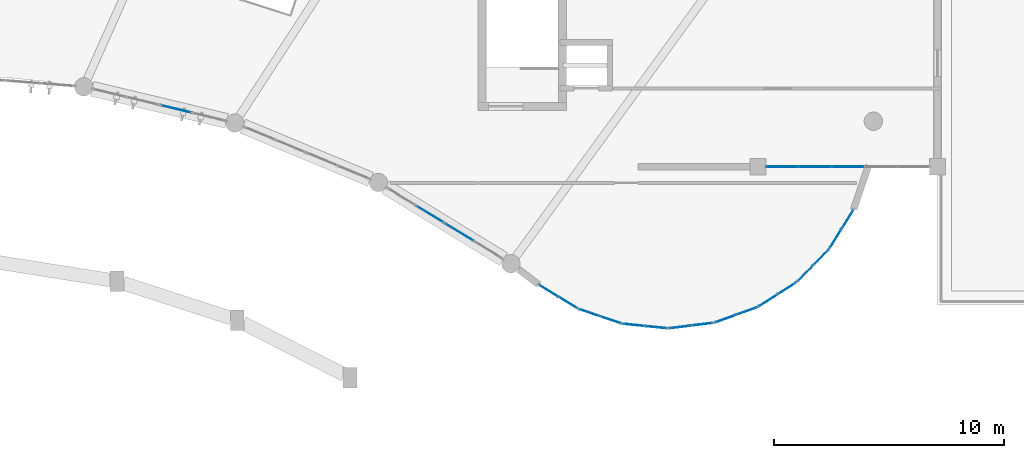
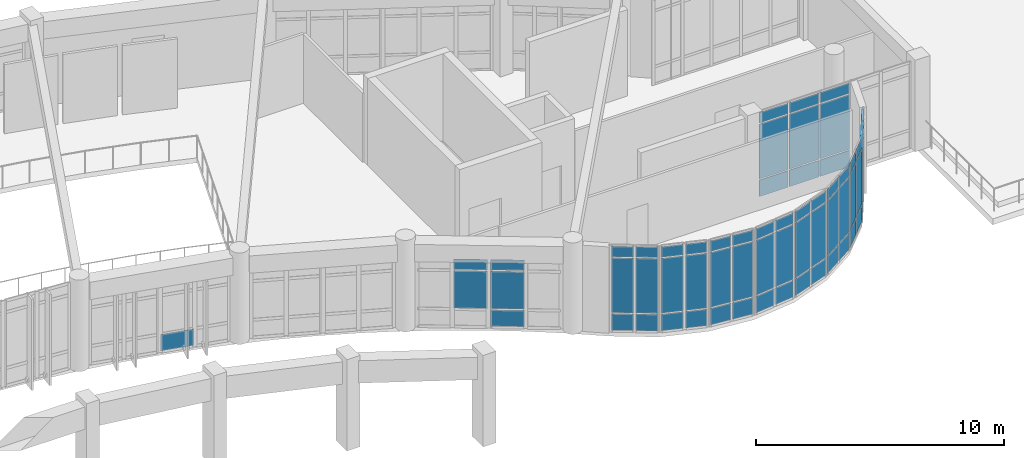
# One storey, part 36 of 54: 63 plates, 12 elements without a shape of their own.
"""IFC4 building model written with IfcOpenShell, lengths in metres."""

from ifc_helpers import new_model, si_unit, direction, frame, origin, origin_2d, place, context, subcontext, project, spatial, rectangle, extrude, material, layer, layer_set, type_object, element, aggregate, save


model = new_model("IFC4")

# Units and contexts
model_context = context("Model", 3, precision=1e-05, world=origin(), true_north=direction((0.0, 1.0)))
body_context = subcontext(model_context, "Body", "Model", "MODEL_VIEW")
ifc_project = project(units=[si_unit("LENGTHUNIT", "METRE"), si_unit("AREAUNIT", "SQUARE_METRE"), si_unit("VOLUMEUNIT", "CUBIC_METRE"), si_unit("PLANEANGLEUNIT", "RADIAN"), si_unit("MASSUNIT", "GRAM", prefix="KILO")], contexts=[model_context])

# Site, building, storey
site_placement = place(None, origin())
site = spatial("IfcSite", under=ifc_project, at=site_placement, CompositionType="ELEMENT")
building_placement = place(site_placement, origin())
building = spatial("IfcBuilding", under=site, at=building_placement, Name="Miralva Faculty of Natural Sciences", CompositionType="ELEMENT")
storey_placement = place(building_placement, frame((0.0, 0.0, 19.5)))
storey = spatial("IfcBuildingStorey", under=building, at=storey_placement, Name="L04", CompositionType="ELEMENT", Elevation=19.5)

# Curtain wall, plate
ifc_material = material(Name="Laminated solar-control glass", Category="glass")
ifc_layer_1 = layer(ifc_material, 0.179931640625, Name="CW-ARC-L03")
ifc_layer_set_1 = layer_set([ifc_layer_1], Name="Laminated solar-control glass")
curtain_wall_type_1 = type_object("IfcCurtainWallType", Name="CW-ARC-L03", PredefinedType="USERDEFINED", material=ifc_layer_set_1)
curtain_wall_1_placement = place(storey_placement, origin())
curtain_wall_1 = element("IfcCurtainWall", 1, at=curtain_wall_1_placement, inside=storey, type_object=curtain_wall_type_1, Name="Curtain wall CW-03 L04-168", ObjectType="UNITISED CURTAIN WALL", PredefinedType="USERDEFINED")
ifc_layer_2 = layer(ifc_material, 0.028076171875, Name="PNL-P01")
ifc_layer_set_2 = layer_set([ifc_layer_2], Name="Laminated solar-control glass")
plate_type = type_object("IfcPlateType", Name="PNL-P01", PredefinedType="CURTAIN_PANEL", material=ifc_layer_set_2)
plate_1_placement = place(storey_placement, frame((100.743408203125, 20.50634765625, 0.06494140625), z_axis=(0.0, 0.0, 1.0), x_axis=(0.972365393914, -0.233464217213, 0.0)))
plate_1 = element("IfcPlate", 2, at=plate_1_placement, type_object=plate_type, Name="CW-03 panel 1.1", PredefinedType="CURTAIN_PANEL", context=body_context, shape_type="SweptSolid", body=[
    extrude(rectangle(XDim=1.394287109375, YDim=0.028076171875, at=origin_2d()), origin(), (0.0, 0.0, 1.0), 0.802490234375),
])
aggregate(curtain_wall_1, [plate_1])

# Curtain wall, plates
curtain_wall_2_placement = place(storey_placement, origin())
curtain_wall_2 = element("IfcCurtainWall", 3, at=curtain_wall_2_placement, inside=storey, type_object=curtain_wall_type_1, Name="Curtain wall CW-03 L04-171", ObjectType="UNITISED CURTAIN WALL", PredefinedType="USERDEFINED")
plate_2_placement = place(storey_placement, frame((111.755859375, 15.944091796875, 0.9326171875), z_axis=(0.0, 0.0, 1.0), x_axis=(0.852649987617, -0.522482534269, 0.0)))
plate_2 = element("IfcPlate", 4, at=plate_2_placement, type_object=plate_type, Name="CW-03 panel 2.2", PredefinedType="CURTAIN_PANEL", context=body_context, shape_type="SweptSolid", body=[
    extrude(rectangle(XDim=1.376953125, YDim=0.028076171875, at=origin_2d()), origin(), (0.0, 0.0, 1.0), 1.840087890625),
])
plate_3_placement = place(storey_placement, frame((111.755859375, 15.944091796875, 2.837646484375), z_axis=(0.0, 0.0, 1.0), x_axis=(0.852649987617, -0.522482534269, 0.0)))
plate_3 = element("IfcPlate", 5, at=plate_3_placement, type_object=plate_type, Name="CW-03 panel 2.3", PredefinedType="CURTAIN_PANEL", context=body_context, shape_type="SweptSolid", body=[
    extrude(rectangle(XDim=1.376953125, YDim=0.028076171875, at=origin_2d()), origin(), (0.0, 0.0, 1.0), 0.50244140625),
])
aggregate(curtain_wall_2, [plate_2, plate_3])

curtain_wall_3_placement = place(storey_placement, origin())
curtain_wall_3 = element("IfcCurtainWall", 6, at=curtain_wall_3_placement, inside=storey, type_object=curtain_wall_type_1, Name="Curtain wall CW-03 L04-172", ObjectType="UNITISED CURTAIN WALL", PredefinedType="USERDEFINED")
plate_4_placement = place(storey_placement, frame((113.037353515625, 15.15869140625, 0.06494140625), z_axis=(0.0, 0.0, 1.0), x_axis=(0.852646014098, -0.522489018681, 0.0)))
plate_4 = element("IfcPlate", 7, at=plate_4_placement, type_object=plate_type, Name="CW-03 panel 1.1", PredefinedType="CURTAIN_PANEL", context=body_context, shape_type="SweptSolid", body=[
    extrude(rectangle(XDim=1.37939453125, YDim=0.028076171875, at=origin_2d()), origin(), (0.0, 0.0, 1.0), 0.802490234375),
])
plate_5_placement = place(storey_placement, frame((113.037353515625, 15.15869140625, 0.9326171875), z_axis=(0.0, 0.0, 1.0), x_axis=(0.852646014098, -0.522489018681, 0.0)))
plate_5 = element("IfcPlate", 8, at=plate_5_placement, type_object=plate_type, Name="CW-03 panel 1.2", PredefinedType="CURTAIN_PANEL", context=body_context, shape_type="SweptSolid", body=[
    extrude(rectangle(XDim=1.37939453125, YDim=0.028076171875, at=origin_2d()), origin(), (0.0, 0.0, 1.0), 1.840087890625),
])
plate_6_placement = place(storey_placement, frame((113.037353515625, 15.15869140625, 2.837646484375), z_axis=(0.0, 0.0, 1.0), x_axis=(0.852646014098, -0.522489018681, 0.0)))
plate_6 = element("IfcPlate", 9, at=plate_6_placement, type_object=plate_type, Name="CW-03 panel 1.3", PredefinedType="CURTAIN_PANEL", context=body_context, shape_type="SweptSolid", body=[
    extrude(rectangle(XDim=1.37939453125, YDim=0.028076171875, at=origin_2d()), origin(), (0.0, 0.0, 1.0), 0.50244140625),
])
aggregate(curtain_wall_3, [plate_4, plate_5, plate_6])

ifc_layer_3 = layer(ifc_material, 0.179931640625, Name="CW-RND-L03")
ifc_layer_set_3 = layer_set([ifc_layer_3], Name="Laminated solar-control glass")
curtain_wall_type_2 = type_object("IfcCurtainWallType", Name="CW-RND-L03", PredefinedType="USERDEFINED", material=ifc_layer_set_3)
curtain_wall_4_placement = place(storey_placement, origin())
curtain_wall_4 = element("IfcCurtainWall", 10, at=curtain_wall_4_placement, inside=storey, type_object=curtain_wall_type_2, Name="Curtain wall CW-06 L04-197", ObjectType="UNITISED CURTAIN WALL", PredefinedType="USERDEFINED")
plate_7_placement = place(storey_placement, frame((129.37939453125, 14.8798828125, 0.06005859375), z_axis=(0.0, 0.0, 1.0), x_axis=(0.523550543884, 0.851994617353, 0.0)))
plate_7 = element("IfcPlate", 11, at=plate_7_placement, type_object=plate_type, Name="CW-06 panel 1.1", PredefinedType="CURTAIN_PANEL", context=body_context, shape_type="SweptSolid", body=[
    extrude(rectangle(XDim=0.91259765625, YDim=0.028076171875, at=origin_2d()), origin(), (0.0, 0.0, 1.0), 0.81005859375),
])
plate_8_placement = place(storey_placement, frame((129.37939453125, 14.8798828125, 0.929931640625), z_axis=(0.0, 0.0, 1.0), x_axis=(0.523550543884, 0.851994617353, 0.0)))
plate_8 = element("IfcPlate", 12, at=plate_8_placement, type_object=plate_type, Name="CW-06 panel 1.2", PredefinedType="CURTAIN_PANEL", context=body_context, shape_type="SweptSolid", body=[
    extrude(rectangle(XDim=0.91259765625, YDim=0.028076171875, at=origin_2d()), origin(), (0.0, 0.0, 1.0), 2.68994140625),
])
plate_9_placement = place(storey_placement, frame((129.37939453125, 14.8798828125, 3.68017578125), z_axis=(0.0, 0.0, 1.0), x_axis=(0.523550543884, 0.851994617353, 0.0)))
plate_9 = element("IfcPlate", 13, at=plate_9_placement, type_object=plate_type, Name="CW-06 panel 1.3", PredefinedType="CURTAIN_PANEL", context=body_context, shape_type="SweptSolid", body=[
    extrude(rectangle(XDim=0.91259765625, YDim=0.028076171875, at=origin_2d()), origin(), (0.0, 0.0, 1.0), 0.510009765625),
])
plate_10_placement = place(storey_placement, frame((129.891357421875, 15.712890625, 0.06005859375), z_axis=(0.0, 0.0, 1.0), x_axis=(0.523550543884, 0.851994617353, 0.0)))
plate_10 = element("IfcPlate", 14, at=plate_10_placement, type_object=plate_type, Name="CW-06 panel 2.1", PredefinedType="CURTAIN_PANEL", context=body_context, shape_type="SweptSolid", body=[
    extrude(rectangle(XDim=0.91259765625, YDim=0.028076171875, at=origin_2d()), origin(), (0.0, 0.0, 1.0), 0.81005859375),
])
plate_11_placement = place(storey_placement, frame((129.891357421875, 15.712890625, 0.929931640625), z_axis=(0.0, 0.0, 1.0), x_axis=(0.523550543884, 0.851994617353, 0.0)))
plate_11 = element("IfcPlate", 15, at=plate_11_placement, type_object=plate_type, Name="CW-06 panel 2.2", PredefinedType="CURTAIN_PANEL", context=body_context, shape_type="SweptSolid", body=[
    extrude(rectangle(XDim=0.91259765625, YDim=0.028076171875, at=origin_2d()), origin(), (0.0, 0.0, 1.0), 2.68994140625),
])
plate_12_placement = place(storey_placement, frame((129.891357421875, 15.712890625, 3.68017578125), z_axis=(0.0, 0.0, 1.0), x_axis=(0.523550543884, 0.851994617353, 0.0)))
plate_12 = element("IfcPlate", 16, at=plate_12_placement, type_object=plate_type, Name="CW-06 panel 2.3", PredefinedType="CURTAIN_PANEL", context=body_context, shape_type="SweptSolid", body=[
    extrude(rectangle(XDim=0.91259765625, YDim=0.028076171875, at=origin_2d()), origin(), (0.0, 0.0, 1.0), 0.510009765625),
])
aggregate(curtain_wall_4, [plate_7, plate_8, plate_9, plate_10, plate_11, plate_12])

curtain_wall_5_placement = place(storey_placement, origin())
curtain_wall_5 = element("IfcCurtainWall", 17, at=curtain_wall_5_placement, inside=storey, type_object=curtain_wall_type_2, Name="Curtain wall CW-06 L04-198", ObjectType="UNITISED CURTAIN WALL", PredefinedType="USERDEFINED")
plate_13_placement = place(storey_placement, frame((128.060546875, 13.36865234375, 0.06005859375), z_axis=(0.0, 0.0, 1.0), x_axis=(0.700018458929, 0.714124749017, 0.0)))
plate_13 = element("IfcPlate", 18, at=plate_13_placement, type_object=plate_type, Name="CW-06 panel 1.1", PredefinedType="CURTAIN_PANEL", context=body_context, shape_type="SweptSolid", body=[
    extrude(rectangle(XDim=0.91259765625, YDim=0.028076171875, at=origin_2d()), origin(), (0.0, 0.0, 1.0), 0.81005859375),
])
plate_14_placement = place(storey_placement, frame((128.060546875, 13.36865234375, 0.929931640625), z_axis=(0.0, 0.0, 1.0), x_axis=(0.700018458929, 0.714124749017, 0.0)))
plate_14 = element("IfcPlate", 19, at=plate_14_placement, type_object=plate_type, Name="CW-06 panel 1.2", PredefinedType="CURTAIN_PANEL", context=body_context, shape_type="SweptSolid", body=[
    extrude(rectangle(XDim=0.91259765625, YDim=0.028076171875, at=origin_2d()), origin(), (0.0, 0.0, 1.0), 2.68994140625),
])
plate_15_placement = place(storey_placement, frame((128.060546875, 13.36865234375, 3.68017578125), z_axis=(0.0, 0.0, 1.0), x_axis=(0.700018458929, 0.714124749017, 0.0)))
plate_15 = element("IfcPlate", 20, at=plate_15_placement, type_object=plate_type, Name="CW-06 panel 1.3", PredefinedType="CURTAIN_PANEL", context=body_context, shape_type="SweptSolid", body=[
    extrude(rectangle(XDim=0.91259765625, YDim=0.028076171875, at=origin_2d()), origin(), (0.0, 0.0, 1.0), 0.510009765625),
])
plate_16_placement = place(storey_placement, frame((128.7451171875, 14.06689453125, 0.06005859375), z_axis=(0.0, 0.0, 1.0), x_axis=(0.700018458929, 0.714124749017, 0.0)))
plate_16 = element("IfcPlate", 21, at=plate_16_placement, type_object=plate_type, Name="CW-06 panel 2.1", PredefinedType="CURTAIN_PANEL", context=body_context, shape_type="SweptSolid", body=[
    extrude(rectangle(XDim=0.91259765625, YDim=0.028076171875, at=origin_2d()), origin(), (0.0, 0.0, 1.0), 0.81005859375),
])
plate_17_placement = place(storey_placement, frame((128.7451171875, 14.06689453125, 0.929931640625), z_axis=(0.0, 0.0, 1.0), x_axis=(0.700018458929, 0.714124749017, 0.0)))
plate_17 = element("IfcPlate", 22, at=plate_17_placement, type_object=plate_type, Name="CW-06 panel 2.2", PredefinedType="CURTAIN_PANEL", context=body_context, shape_type="SweptSolid", body=[
    extrude(rectangle(XDim=0.91259765625, YDim=0.028076171875, at=origin_2d()), origin(), (0.0, 0.0, 1.0), 2.68994140625),
])
plate_18_placement = place(storey_placement, frame((128.7451171875, 14.06689453125, 3.68017578125), z_axis=(0.0, 0.0, 1.0), x_axis=(0.700018458929, 0.714124749017, 0.0)))
plate_18 = element("IfcPlate", 23, at=plate_18_placement, type_object=plate_type, Name="CW-06 panel 2.3", PredefinedType="CURTAIN_PANEL", context=body_context, shape_type="SweptSolid", body=[
    extrude(rectangle(XDim=0.91259765625, YDim=0.028076171875, at=origin_2d()), origin(), (0.0, 0.0, 1.0), 0.510009765625),
])
aggregate(curtain_wall_5, [plate_13, plate_14, plate_15, plate_16, plate_17, plate_18])

curtain_wall_6_placement = place(storey_placement, origin())
curtain_wall_6 = element("IfcCurtainWall", 24, at=curtain_wall_6_placement, inside=storey, type_object=curtain_wall_type_2, Name="Curtain wall CW-06 L04-199", ObjectType="UNITISED CURTAIN WALL", PredefinedType="USERDEFINED")
plate_19_placement = place(storey_placement, frame((126.438720703125, 12.18896484375, 0.06005859375), z_axis=(0.0, 0.0, 1.0), x_axis=(0.841379438185, 0.540444854725, 0.0)))
plate_19 = element("IfcPlate", 25, at=plate_19_placement, type_object=plate_type, Name="CW-06 panel 1.1", PredefinedType="CURTAIN_PANEL", context=body_context, shape_type="SweptSolid", body=[
    extrude(rectangle(XDim=0.91259765625, YDim=0.028076171875, at=origin_2d()), origin(), (0.0, 0.0, 1.0), 0.81005859375),
])
plate_20_placement = place(storey_placement, frame((126.438720703125, 12.18896484375, 0.929931640625), z_axis=(0.0, 0.0, 1.0), x_axis=(0.841379438185, 0.540444854725, 0.0)))
plate_20 = element("IfcPlate", 26, at=plate_20_placement, type_object=plate_type, Name="CW-06 panel 1.2", PredefinedType="CURTAIN_PANEL", context=body_context, shape_type="SweptSolid", body=[
    extrude(rectangle(XDim=0.91259765625, YDim=0.028076171875, at=origin_2d()), origin(), (0.0, 0.0, 1.0), 2.68994140625),
])
plate_21_placement = place(storey_placement, frame((126.438720703125, 12.18896484375, 3.68017578125), z_axis=(0.0, 0.0, 1.0), x_axis=(0.841379438185, 0.540444854725, 0.0)))
plate_21 = element("IfcPlate", 27, at=plate_21_placement, type_object=plate_type, Name="CW-06 panel 1.3", PredefinedType="CURTAIN_PANEL", context=body_context, shape_type="SweptSolid", body=[
    extrude(rectangle(XDim=0.91259765625, YDim=0.028076171875, at=origin_2d()), origin(), (0.0, 0.0, 1.0), 0.510009765625),
])
plate_22_placement = place(storey_placement, frame((127.26123046875, 12.71728515625, 0.06005859375), z_axis=(0.0, 0.0, 1.0), x_axis=(0.841379438185, 0.540444854725, 0.0)))
plate_22 = element("IfcPlate", 28, at=plate_22_placement, type_object=plate_type, Name="CW-06 panel 2.1", PredefinedType="CURTAIN_PANEL", context=body_context, shape_type="SweptSolid", body=[
    extrude(rectangle(XDim=0.91259765625, YDim=0.028076171875, at=origin_2d()), origin(), (0.0, 0.0, 1.0), 0.81005859375),
])
plate_23_placement = place(storey_placement, frame((127.26123046875, 12.71728515625, 0.929931640625), z_axis=(0.0, 0.0, 1.0), x_axis=(0.841379438185, 0.540444854725, 0.0)))
plate_23 = element("IfcPlate", 29, at=plate_23_placement, type_object=plate_type, Name="CW-06 panel 2.2", PredefinedType="CURTAIN_PANEL", context=body_context, shape_type="SweptSolid", body=[
    extrude(rectangle(XDim=0.91259765625, YDim=0.028076171875, at=origin_2d()), origin(), (0.0, 0.0, 1.0), 2.68994140625),
])
plate_24_placement = place(storey_placement, frame((127.26123046875, 12.71728515625, 3.68017578125), z_axis=(0.0, 0.0, 1.0), x_axis=(0.841379438185, 0.540444854725, 0.0)))
plate_24 = element("IfcPlate", 30, at=plate_24_placement, type_object=plate_type, Name="CW-06 panel 2.3", PredefinedType="CURTAIN_PANEL", context=body_context, shape_type="SweptSolid", body=[
    extrude(rectangle(XDim=0.91259765625, YDim=0.028076171875, at=origin_2d()), origin(), (0.0, 0.0, 1.0), 0.510009765625),
])
aggregate(curtain_wall_6, [plate_19, plate_20, plate_21, plate_22, plate_23, plate_24])

curtain_wall_7_placement = place(storey_placement, origin())
curtain_wall_7 = element("IfcCurtainWall", 31, at=curtain_wall_7_placement, inside=storey, type_object=curtain_wall_type_2, Name="Curtain wall CW-06 L04-200", ObjectType="UNITISED CURTAIN WALL", PredefinedType="USERDEFINED")
plate_25_placement = place(storey_placement, frame((124.5947265625, 11.399658203125, 0.06005859375), z_axis=(0.0, 0.0, 1.0), x_axis=(0.940535451088, 0.339695547876, 0.0)))
plate_25 = element("IfcPlate", 32, at=plate_25_placement, type_object=plate_type, Name="CW-06 panel 1.1", PredefinedType="CURTAIN_PANEL", context=body_context, shape_type="SweptSolid", body=[
    extrude(rectangle(XDim=0.91259765625, YDim=0.028076171875, at=origin_2d()), origin(), (0.0, 0.0, 1.0), 0.81005859375),
])
plate_26_placement = place(storey_placement, frame((124.5947265625, 11.399658203125, 0.929931640625), z_axis=(0.0, 0.0, 1.0), x_axis=(0.940535451088, 0.339695547876, 0.0)))
plate_26 = element("IfcPlate", 33, at=plate_26_placement, type_object=plate_type, Name="CW-06 panel 1.2", PredefinedType="CURTAIN_PANEL", context=body_context, shape_type="SweptSolid", body=[
    extrude(rectangle(XDim=0.91259765625, YDim=0.028076171875, at=origin_2d()), origin(), (0.0, 0.0, 1.0), 2.68994140625),
])
plate_27_placement = place(storey_placement, frame((124.5947265625, 11.399658203125, 3.68017578125), z_axis=(0.0, 0.0, 1.0), x_axis=(0.940535451088, 0.339695547876, 0.0)))
plate_27 = element("IfcPlate", 34, at=plate_27_placement, type_object=plate_type, Name="CW-06 panel 1.3", PredefinedType="CURTAIN_PANEL", context=body_context, shape_type="SweptSolid", body=[
    extrude(rectangle(XDim=0.91259765625, YDim=0.028076171875, at=origin_2d()), origin(), (0.0, 0.0, 1.0), 0.510009765625),
])
plate_28_placement = place(storey_placement, frame((125.514404296875, 11.731689453125, 0.06005859375), z_axis=(0.0, 0.0, 1.0), x_axis=(0.940535451088, 0.339695547876, 0.0)))
plate_28 = element("IfcPlate", 35, at=plate_28_placement, type_object=plate_type, Name="CW-06 panel 2.1", PredefinedType="CURTAIN_PANEL", context=body_context, shape_type="SweptSolid", body=[
    extrude(rectangle(XDim=0.91259765625, YDim=0.028076171875, at=origin_2d()), origin(), (0.0, 0.0, 1.0), 0.81005859375),
])
plate_29_placement = place(storey_placement, frame((125.514404296875, 11.731689453125, 0.929931640625), z_axis=(0.0, 0.0, 1.0), x_axis=(0.940535451088, 0.339695547876, 0.0)))
plate_29 = element("IfcPlate", 36, at=plate_29_placement, type_object=plate_type, Name="CW-06 panel 2.2", PredefinedType="CURTAIN_PANEL", context=body_context, shape_type="SweptSolid", body=[
    extrude(rectangle(XDim=0.91259765625, YDim=0.028076171875, at=origin_2d()), origin(), (0.0, 0.0, 1.0), 2.68994140625),
])
plate_30_placement = place(storey_placement, frame((125.514404296875, 11.731689453125, 3.68017578125), z_axis=(0.0, 0.0, 1.0), x_axis=(0.940535451088, 0.339695547876, 0.0)))
plate_30 = element("IfcPlate", 37, at=plate_30_placement, type_object=plate_type, Name="CW-06 panel 2.3", PredefinedType="CURTAIN_PANEL", context=body_context, shape_type="SweptSolid", body=[
    extrude(rectangle(XDim=0.91259765625, YDim=0.028076171875, at=origin_2d()), origin(), (0.0, 0.0, 1.0), 0.510009765625),
])
aggregate(curtain_wall_7, [plate_25, plate_26, plate_27, plate_28, plate_29, plate_30])

curtain_wall_8_placement = place(storey_placement, origin())
curtain_wall_8 = element("IfcCurtainWall", 38, at=curtain_wall_8_placement, inside=storey, type_object=curtain_wall_type_2, Name="Curtain wall CW-06 L04-201", ObjectType="UNITISED CURTAIN WALL", PredefinedType="USERDEFINED")
plate_31_placement = place(storey_placement, frame((122.62158203125, 11.04052734375, 0.06005859375), z_axis=(0.0, 0.0, 1.0), x_axis=(0.99254734183, 0.121859649701, 0.0)))
plate_31 = element("IfcPlate", 39, at=plate_31_placement, type_object=plate_type, Name="CW-06 panel 1.1", PredefinedType="CURTAIN_PANEL", context=body_context, shape_type="SweptSolid", body=[
    extrude(rectangle(XDim=0.91259765625, YDim=0.028076171875, at=origin_2d()), origin(), (0.0, 0.0, 1.0), 0.81005859375),
])
plate_32_placement = place(storey_placement, frame((122.62158203125, 11.04052734375, 0.929931640625), z_axis=(0.0, 0.0, 1.0), x_axis=(0.99254734183, 0.121859649701, 0.0)))
plate_32 = element("IfcPlate", 40, at=plate_32_placement, type_object=plate_type, Name="CW-06 panel 1.2", PredefinedType="CURTAIN_PANEL", context=body_context, shape_type="SweptSolid", body=[
    extrude(rectangle(XDim=0.91259765625, YDim=0.028076171875, at=origin_2d()), origin(), (0.0, 0.0, 1.0), 2.68994140625),
])
plate_33_placement = place(storey_placement, frame((122.62158203125, 11.04052734375, 3.68017578125), z_axis=(0.0, 0.0, 1.0), x_axis=(0.99254734183, 0.121859649701, 0.0)))
plate_33 = element("IfcPlate", 41, at=plate_33_placement, type_object=plate_type, Name="CW-06 panel 1.3", PredefinedType="CURTAIN_PANEL", context=body_context, shape_type="SweptSolid", body=[
    extrude(rectangle(XDim=0.91259765625, YDim=0.028076171875, at=origin_2d()), origin(), (0.0, 0.0, 1.0), 0.510009765625),
])
plate_34_placement = place(storey_placement, frame((123.592041015625, 11.15966796875, 0.06005859375), z_axis=(0.0, 0.0, 1.0), x_axis=(0.99254734183, 0.121859649701, 0.0)))
plate_34 = element("IfcPlate", 42, at=plate_34_placement, type_object=plate_type, Name="CW-06 panel 2.1", PredefinedType="CURTAIN_PANEL", context=body_context, shape_type="SweptSolid", body=[
    extrude(rectangle(XDim=0.91259765625, YDim=0.028076171875, at=origin_2d()), origin(), (0.0, 0.0, 1.0), 0.81005859375),
])
plate_35_placement = place(storey_placement, frame((123.592041015625, 11.15966796875, 0.929931640625), z_axis=(0.0, 0.0, 1.0), x_axis=(0.99254734183, 0.121859649701, 0.0)))
plate_35 = element("IfcPlate", 43, at=plate_35_placement, type_object=plate_type, Name="CW-06 panel 2.2", PredefinedType="CURTAIN_PANEL", context=body_context, shape_type="SweptSolid", body=[
    extrude(rectangle(XDim=0.91259765625, YDim=0.028076171875, at=origin_2d()), origin(), (0.0, 0.0, 1.0), 2.68994140625),
])
plate_36_placement = place(storey_placement, frame((123.592041015625, 11.15966796875, 3.68017578125), z_axis=(0.0, 0.0, 1.0), x_axis=(0.99254734183, 0.121859649701, 0.0)))
plate_36 = element("IfcPlate", 44, at=plate_36_placement, type_object=plate_type, Name="CW-06 panel 2.3", PredefinedType="CURTAIN_PANEL", context=body_context, shape_type="SweptSolid", body=[
    extrude(rectangle(XDim=0.91259765625, YDim=0.028076171875, at=origin_2d()), origin(), (0.0, 0.0, 1.0), 0.510009765625),
])
aggregate(curtain_wall_8, [plate_31, plate_32, plate_33, plate_34, plate_35, plate_36])

curtain_wall_9_placement = place(storey_placement, origin())
curtain_wall_9 = element("IfcCurtainWall", 45, at=curtain_wall_9_placement, inside=storey, type_object=curtain_wall_type_2, Name="Curtain wall CW-06 L04-202", ObjectType="UNITISED CURTAIN WALL", PredefinedType="USERDEFINED")
plate_37_placement = place(storey_placement, frame((120.617919921875, 11.12939453125, 0.06005859375), z_axis=(0.0, 0.0, 1.0), x_axis=(0.994778604482, -0.102056494477, 0.0)))
plate_37 = element("IfcPlate", 46, at=plate_37_placement, type_object=plate_type, Name="CW-06 panel 1.1", PredefinedType="CURTAIN_PANEL", context=body_context, shape_type="SweptSolid", body=[
    extrude(rectangle(XDim=0.912841796875, YDim=0.028076171875, at=origin_2d()), origin(), (0.0, 0.0, 1.0), 0.81005859375),
])
plate_38_placement = place(storey_placement, frame((120.617919921875, 11.12939453125, 0.929931640625), z_axis=(0.0, 0.0, 1.0), x_axis=(0.994778604482, -0.102056494477, 0.0)))
plate_38 = element("IfcPlate", 47, at=plate_38_placement, type_object=plate_type, Name="CW-06 panel 1.2", PredefinedType="CURTAIN_PANEL", context=body_context, shape_type="SweptSolid", body=[
    extrude(rectangle(XDim=0.912841796875, YDim=0.028076171875, at=origin_2d()), origin(), (0.0, 0.0, 1.0), 2.68994140625),
])
plate_39_placement = place(storey_placement, frame((120.617919921875, 11.12939453125, 3.68017578125), z_axis=(0.0, 0.0, 1.0), x_axis=(0.994778604482, -0.102056494477, 0.0)))
plate_39 = element("IfcPlate", 48, at=plate_39_placement, type_object=plate_type, Name="CW-06 panel 1.3", PredefinedType="CURTAIN_PANEL", context=body_context, shape_type="SweptSolid", body=[
    extrude(rectangle(XDim=0.912841796875, YDim=0.028076171875, at=origin_2d()), origin(), (0.0, 0.0, 1.0), 0.510009765625),
])
plate_40_placement = place(storey_placement, frame((121.590576171875, 11.02978515625, 0.06005859375), z_axis=(0.0, 0.0, 1.0), x_axis=(0.994778604482, -0.102056494477, 0.0)))
plate_40 = element("IfcPlate", 49, at=plate_40_placement, type_object=plate_type, Name="CW-06 panel 2.1", PredefinedType="CURTAIN_PANEL", context=body_context, shape_type="SweptSolid", body=[
    extrude(rectangle(XDim=0.912841796875, YDim=0.028076171875, at=origin_2d()), origin(), (0.0, 0.0, 1.0), 0.81005859375),
])
plate_41_placement = place(storey_placement, frame((121.590576171875, 11.02978515625, 0.929931640625), z_axis=(0.0, 0.0, 1.0), x_axis=(0.994778604482, -0.102056494477, 0.0)))
plate_41 = element("IfcPlate", 50, at=plate_41_placement, type_object=plate_type, Name="CW-06 panel 2.2", PredefinedType="CURTAIN_PANEL", context=body_context, shape_type="SweptSolid", body=[
    extrude(rectangle(XDim=0.912841796875, YDim=0.028076171875, at=origin_2d()), origin(), (0.0, 0.0, 1.0), 2.68994140625),
])
plate_42_placement = place(storey_placement, frame((121.590576171875, 11.02978515625, 3.68017578125), z_axis=(0.0, 0.0, 1.0), x_axis=(0.994778604482, -0.102056494477, 0.0)))
plate_42 = element("IfcPlate", 51, at=plate_42_placement, type_object=plate_type, Name="CW-06 panel 2.3", PredefinedType="CURTAIN_PANEL", context=body_context, shape_type="SweptSolid", body=[
    extrude(rectangle(XDim=0.912841796875, YDim=0.028076171875, at=origin_2d()), origin(), (0.0, 0.0, 1.0), 0.510009765625),
])
aggregate(curtain_wall_9, [plate_37, plate_38, plate_39, plate_40, plate_41, plate_42])

curtain_wall_10_placement = place(storey_placement, origin())
curtain_wall_10 = element("IfcCurtainWall", 52, at=curtain_wall_10_placement, inside=storey, type_object=curtain_wall_type_2, Name="Curtain wall CW-06 L04-203", ObjectType="UNITISED CURTAIN WALL", PredefinedType="USERDEFINED")
plate_43_placement = place(storey_placement, frame((118.684326171875, 11.662109375, 0.06005859375), z_axis=(0.0, 0.0, 1.0), x_axis=(0.947132688672, -0.320842126361, 0.0)))
plate_43 = element("IfcPlate", 53, at=plate_43_placement, type_object=plate_type, Name="CW-06 panel 1.1", PredefinedType="CURTAIN_PANEL", context=body_context, shape_type="SweptSolid", body=[
    extrude(rectangle(XDim=0.91259765625, YDim=0.028076171875, at=origin_2d()), origin(), (0.0, 0.0, 1.0), 0.81005859375),
])
plate_44_placement = place(storey_placement, frame((118.684326171875, 11.662109375, 0.929931640625), z_axis=(0.0, 0.0, 1.0), x_axis=(0.947132688672, -0.320842126361, 0.0)))
plate_44 = element("IfcPlate", 54, at=plate_44_placement, type_object=plate_type, Name="CW-06 panel 1.2", PredefinedType="CURTAIN_PANEL", context=body_context, shape_type="SweptSolid", body=[
    extrude(rectangle(XDim=0.91259765625, YDim=0.028076171875, at=origin_2d()), origin(), (0.0, 0.0, 1.0), 2.68994140625),
])
plate_45_placement = place(storey_placement, frame((118.684326171875, 11.662109375, 3.68017578125), z_axis=(0.0, 0.0, 1.0), x_axis=(0.947132688672, -0.320842126361, 0.0)))
plate_45 = element("IfcPlate", 55, at=plate_45_placement, type_object=plate_type, Name="CW-06 panel 1.3", PredefinedType="CURTAIN_PANEL", context=body_context, shape_type="SweptSolid", body=[
    extrude(rectangle(XDim=0.91259765625, YDim=0.028076171875, at=origin_2d()), origin(), (0.0, 0.0, 1.0), 0.510009765625),
])
plate_46_placement = place(storey_placement, frame((119.6103515625, 11.348388671875, 0.06005859375), z_axis=(0.0, 0.0, 1.0), x_axis=(0.947132688672, -0.320842126361, 0.0)))
plate_46 = element("IfcPlate", 56, at=plate_46_placement, type_object=plate_type, Name="CW-06 panel 2.1", PredefinedType="CURTAIN_PANEL", context=body_context, shape_type="SweptSolid", body=[
    extrude(rectangle(XDim=0.91259765625, YDim=0.028076171875, at=origin_2d()), origin(), (0.0, 0.0, 1.0), 0.81005859375),
])
plate_47_placement = place(storey_placement, frame((119.6103515625, 11.348388671875, 0.929931640625), z_axis=(0.0, 0.0, 1.0), x_axis=(0.947132688672, -0.320842126361, 0.0)))
plate_47 = element("IfcPlate", 57, at=plate_47_placement, type_object=plate_type, Name="CW-06 panel 2.2", PredefinedType="CURTAIN_PANEL", context=body_context, shape_type="SweptSolid", body=[
    extrude(rectangle(XDim=0.91259765625, YDim=0.028076171875, at=origin_2d()), origin(), (0.0, 0.0, 1.0), 2.68994140625),
])
plate_48_placement = place(storey_placement, frame((119.6103515625, 11.348388671875, 3.68017578125), z_axis=(0.0, 0.0, 1.0), x_axis=(0.947132688672, -0.320842126361, 0.0)))
plate_48 = element("IfcPlate", 58, at=plate_48_placement, type_object=plate_type, Name="CW-06 panel 2.3", PredefinedType="CURTAIN_PANEL", context=body_context, shape_type="SweptSolid", body=[
    extrude(rectangle(XDim=0.91259765625, YDim=0.028076171875, at=origin_2d()), origin(), (0.0, 0.0, 1.0), 0.510009765625),
])
aggregate(curtain_wall_10, [plate_43, plate_44, plate_45, plate_46, plate_47, plate_48])

curtain_wall_11_placement = place(storey_placement, origin())
curtain_wall_11 = element("IfcCurtainWall", 59, at=curtain_wall_11_placement, inside=storey, type_object=curtain_wall_type_2, Name="Curtain wall CW-06 L04-204", ObjectType="UNITISED CURTAIN WALL", PredefinedType="USERDEFINED")
plate_49_placement = place(storey_placement, frame((116.914306640625, 12.613525390625, 0.06005859375), z_axis=(0.0, 0.0, 1.0), x_axis=(0.852003943693, -0.523535366458, 0.0)))
plate_49 = element("IfcPlate", 60, at=plate_49_placement, type_object=plate_type, Name="CW-06 panel 1.1", PredefinedType="CURTAIN_PANEL", context=body_context, shape_type="SweptSolid", body=[
    extrude(rectangle(XDim=0.915283203125, YDim=0.028076171875, at=origin_2d()), origin(), (0.0, 0.0, 1.0), 0.81005859375),
])
plate_50_placement = place(storey_placement, frame((116.914306640625, 12.613525390625, 0.929931640625), z_axis=(0.0, 0.0, 1.0), x_axis=(0.852003943693, -0.523535366458, 0.0)))
plate_50 = element("IfcPlate", 61, at=plate_50_placement, type_object=plate_type, Name="CW-06 panel 1.2", PredefinedType="CURTAIN_PANEL", context=body_context, shape_type="SweptSolid", body=[
    extrude(rectangle(XDim=0.915283203125, YDim=0.028076171875, at=origin_2d()), origin(), (0.0, 0.0, 1.0), 2.68994140625),
])
plate_51_placement = place(storey_placement, frame((116.914306640625, 12.613525390625, 3.68017578125), z_axis=(0.0, 0.0, 1.0), x_axis=(0.852003943693, -0.523535366458, 0.0)))
plate_51 = element("IfcPlate", 62, at=plate_51_placement, type_object=plate_type, Name="CW-06 panel 1.3", PredefinedType="CURTAIN_PANEL", context=body_context, shape_type="SweptSolid", body=[
    extrude(rectangle(XDim=0.915283203125, YDim=0.028076171875, at=origin_2d()), origin(), (0.0, 0.0, 1.0), 0.510009765625),
])
plate_52_placement = place(storey_placement, frame((117.74951171875, 12.100341796875, 0.06005859375), z_axis=(0.0, 0.0, 1.0), x_axis=(0.852003943693, -0.523535366458, 0.0)))
plate_52 = element("IfcPlate", 63, at=plate_52_placement, type_object=plate_type, Name="CW-06 panel 2.1", PredefinedType="CURTAIN_PANEL", context=body_context, shape_type="SweptSolid", body=[
    extrude(rectangle(XDim=0.915283203125, YDim=0.028076171875, at=origin_2d()), origin(), (0.0, 0.0, 1.0), 0.81005859375),
])
plate_53_placement = place(storey_placement, frame((117.74951171875, 12.100341796875, 0.929931640625), z_axis=(0.0, 0.0, 1.0), x_axis=(0.852003943693, -0.523535366458, 0.0)))
plate_53 = element("IfcPlate", 64, at=plate_53_placement, type_object=plate_type, Name="CW-06 panel 2.2", PredefinedType="CURTAIN_PANEL", context=body_context, shape_type="SweptSolid", body=[
    extrude(rectangle(XDim=0.915283203125, YDim=0.028076171875, at=origin_2d()), origin(), (0.0, 0.0, 1.0), 2.68994140625),
])
plate_54_placement = place(storey_placement, frame((117.74951171875, 12.100341796875, 3.68017578125), z_axis=(0.0, 0.0, 1.0), x_axis=(0.852003943693, -0.523535366458, 0.0)))
plate_54 = element("IfcPlate", 65, at=plate_54_placement, type_object=plate_type, Name="CW-06 panel 2.3", PredefinedType="CURTAIN_PANEL", context=body_context, shape_type="SweptSolid", body=[
    extrude(rectangle(XDim=0.915283203125, YDim=0.028076171875, at=origin_2d()), origin(), (0.0, 0.0, 1.0), 0.510009765625),
])
aggregate(curtain_wall_11, [plate_49, plate_50, plate_51, plate_52, plate_53, plate_54])

ifc_layer_4 = layer(ifc_material, 0.179931640625, Name="CW-COM-L01")
ifc_layer_set_4 = layer_set([ifc_layer_4], Name="Laminated solar-control glass")
curtain_wall_type_3 = type_object("IfcCurtainWallType", Name="CW-COM-L01", PredefinedType="USERDEFINED", material=ifc_layer_set_4)
curtain_wall_12_placement = place(storey_placement, origin())
curtain_wall_12 = element("IfcCurtainWall", 66, at=curtain_wall_12_placement, inside=storey, type_object=curtain_wall_type_3, Name="Curtain wall CW-10 L04-308", ObjectType="UNITISED CURTAIN WALL", PredefinedType="USERDEFINED")
plate_55_placement = place(storey_placement, frame((127.06298828125, 18.0, 0.06005859375), z_axis=(0.0, 0.0, 1.0), x_axis=(1.0, 0.0, 0.0)))
plate_55 = element("IfcPlate", 67, at=plate_55_placement, type_object=plate_type, Name="CW-10 panel 1.1", PredefinedType="CURTAIN_PANEL", context=body_context, shape_type="SweptSolid", body=[
    extrude(rectangle(XDim=1.3359375, YDim=0.028076171875, at=origin_2d()), origin(), (0.0, 0.0, 1.0), 0.81005859375),
])
plate_56_placement = place(storey_placement, frame((127.06298828125, 18.0, 0.929931640625), z_axis=(0.0, 0.0, 1.0), x_axis=(1.0, 0.0, 0.0)))
plate_56 = element("IfcPlate", 68, at=plate_56_placement, type_object=plate_type, Name="CW-10 panel 1.2", PredefinedType="CURTAIN_PANEL", context=body_context, shape_type="SweptSolid", body=[
    extrude(rectangle(XDim=1.3359375, YDim=0.028076171875, at=origin_2d()), origin(), (0.0, 0.0, 1.0), 2.68994140625),
])
plate_57_placement = place(storey_placement, frame((127.06298828125, 18.0, 3.68017578125), z_axis=(0.0, 0.0, 1.0), x_axis=(1.0, 0.0, 0.0)))
plate_57 = element("IfcPlate", 69, at=plate_57_placement, type_object=plate_type, Name="CW-10 panel 1.3", PredefinedType="CURTAIN_PANEL", context=body_context, shape_type="SweptSolid", body=[
    extrude(rectangle(XDim=1.3359375, YDim=0.028076171875, at=origin_2d()), origin(), (0.0, 0.0, 1.0), 0.510009765625),
])
plate_58_placement = place(storey_placement, frame((128.47412109375, 18.0, 0.06005859375), z_axis=(0.0, 0.0, 1.0), x_axis=(1.0, 0.0, 0.0)))
plate_58 = element("IfcPlate", 70, at=plate_58_placement, type_object=plate_type, Name="CW-10 panel 2.1", PredefinedType="CURTAIN_PANEL", context=body_context, shape_type="SweptSolid", body=[
    extrude(rectangle(XDim=1.365966796875, YDim=0.028076171875, at=origin_2d()), origin(), (0.0, 0.0, 1.0), 0.81005859375),
])
plate_59_placement = place(storey_placement, frame((128.47412109375, 18.0, 0.929931640625), z_axis=(0.0, 0.0, 1.0), x_axis=(1.0, 0.0, 0.0)))
plate_59 = element("IfcPlate", 71, at=plate_59_placement, type_object=plate_type, Name="CW-10 panel 2.2", PredefinedType="CURTAIN_PANEL", context=body_context, shape_type="SweptSolid", body=[
    extrude(rectangle(XDim=1.365966796875, YDim=0.028076171875, at=origin_2d()), origin(), (0.0, 0.0, 1.0), 2.68994140625),
])
plate_60_placement = place(storey_placement, frame((128.47412109375, 18.0, 3.68017578125), z_axis=(0.0, 0.0, 1.0), x_axis=(1.0, 0.0, 0.0)))
plate_60 = element("IfcPlate", 72, at=plate_60_placement, type_object=plate_type, Name="CW-10 panel 2.3", PredefinedType="CURTAIN_PANEL", context=body_context, shape_type="SweptSolid", body=[
    extrude(rectangle(XDim=1.365966796875, YDim=0.028076171875, at=origin_2d()), origin(), (0.0, 0.0, 1.0), 0.510009765625),
])
plate_61_placement = place(storey_placement, frame((129.89990234375, 18.0, 0.06005859375), z_axis=(0.0, 0.0, 1.0), x_axis=(1.0, 0.0, 0.0)))
plate_61 = element("IfcPlate", 73, at=plate_61_placement, type_object=plate_type, Name="CW-10 panel 3.1", PredefinedType="CURTAIN_PANEL", context=body_context, shape_type="SweptSolid", body=[
    extrude(rectangle(XDim=1.365966796875, YDim=0.028076171875, at=origin_2d()), origin(), (0.0, 0.0, 1.0), 0.81005859375),
])
plate_62_placement = place(storey_placement, frame((129.89990234375, 18.0, 0.929931640625), z_axis=(0.0, 0.0, 1.0), x_axis=(1.0, 0.0, 0.0)))
plate_62 = element("IfcPlate", 74, at=plate_62_placement, type_object=plate_type, Name="CW-10 panel 3.2", PredefinedType="CURTAIN_PANEL", context=body_context, shape_type="SweptSolid", body=[
    extrude(rectangle(XDim=1.365966796875, YDim=0.028076171875, at=origin_2d()), origin(), (0.0, 0.0, 1.0), 2.68994140625),
])
plate_63_placement = place(storey_placement, frame((129.89990234375, 18.0, 3.68017578125), z_axis=(0.0, 0.0, 1.0), x_axis=(1.0, 0.0, 0.0)))
plate_63 = element("IfcPlate", 75, at=plate_63_placement, type_object=plate_type, Name="CW-10 panel 3.3", PredefinedType="CURTAIN_PANEL", context=body_context, shape_type="SweptSolid", body=[
    extrude(rectangle(XDim=1.365966796875, YDim=0.028076171875, at=origin_2d()), origin(), (0.0, 0.0, 1.0), 0.510009765625),
])
aggregate(curtain_wall_12, [plate_55, plate_56, plate_57, plate_58, plate_59, plate_60, plate_61, plate_62, plate_63])

save(model, "model.ifc")
